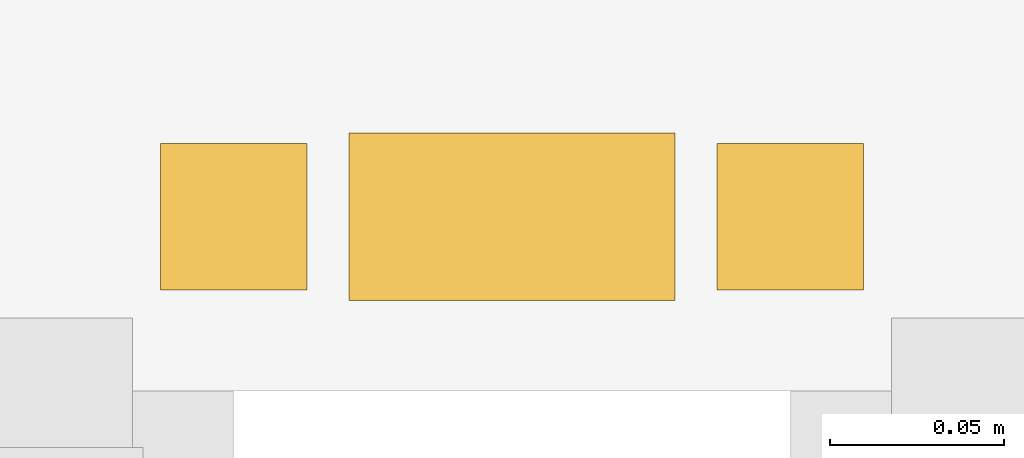
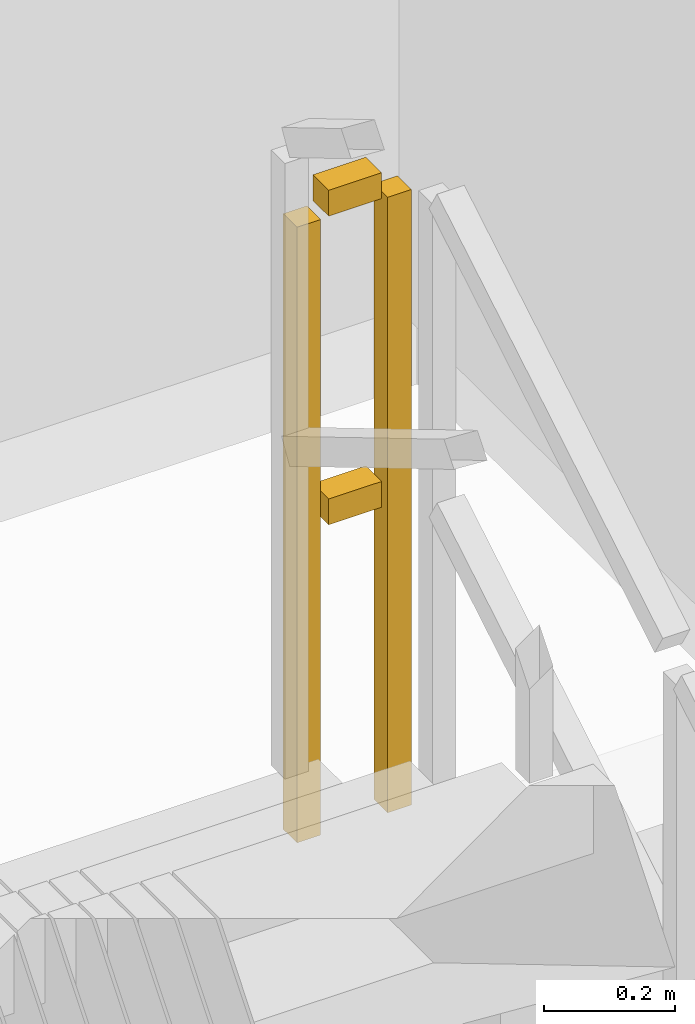
# One storey, part 13 of 13: 1 railing.
"""IFC4 building model written with IfcOpenShell, lengths in metres."""

from ifc_helpers import new_model, si_unit, direction, frame, origin, origin_2d, place, context, subcontext, project, spatial, rectangle, extrude, material, type_object, element, save


model = new_model("IFC4")

# Units and contexts
model_context = context("Model", 3, precision=1e-05, world=origin(), true_north=direction((0.0, 1.0)))
body_context = subcontext(model_context, "Body", "Model", "MODEL_VIEW")
ifc_project = project(units=[si_unit("LENGTHUNIT", "METRE"), si_unit("AREAUNIT", "SQUARE_METRE"), si_unit("VOLUMEUNIT", "CUBIC_METRE"), si_unit("PLANEANGLEUNIT", "RADIAN"), si_unit("MASSUNIT", "GRAM", prefix="KILO")], contexts=[model_context])

# Site, building, storey
site_placement = place(None, origin())
site = spatial("IfcSite", under=ifc_project, at=site_placement, CompositionType="ELEMENT")
building_placement = place(site_placement, origin())
building = spatial("IfcBuilding", under=site, at=building_placement, Name="Saelheon Loggia Tower", CompositionType="ELEMENT")
storey_placement = place(building_placement, frame((0.0, 0.0, 129.75)))
storey = spatial("IfcBuildingStorey", under=building, at=storey_placement, Name="L41", CompositionType="ELEMENT", Elevation=129.75)

# Railing
ifc_material = material(Name="Galvanised Steel S275 Stairwell Guardrail", Category="steel")
railing_type = type_object("IfcRailingType", Name="Guard_StairWell_RL_STG", PredefinedType="GUARDRAIL", material=ifc_material)
railing_placement = place(storey_placement, frame((42.489990234375, 32.739990234375, 1.5)))
element("IfcRailing", 1, at=railing_placement, inside=storey, type_object=railing_type, Name="L41 ST2 stair guard 2", PredefinedType="GUARDRAIL", context=body_context, shape_type="SweptSolid", body=[
    extrude(rectangle(XDim=0.048095703125, YDim=0.048095703125, at=origin_2d()), frame((-0.033203125, 0.0, 1.17578125), z_axis=(-1.0, 0.0, 0.0), x_axis=(0.0, -1.0, 0.0)), (0.0, 0.0, 1.0), 0.093505859375),
    extrude(rectangle(XDim=0.048095703125, YDim=0.048095703125, at=origin_2d()), frame((-0.033203125, 0.0, 0.60009765625), z_axis=(-1.0, 0.0, 0.0), x_axis=(0.0, -1.0, 0.0)), (0.0, 0.0, 1.0), 0.093505859375),
    extrude(rectangle(XDim=0.0419921875, YDim=0.0419921875, at=origin_2d()), origin(), (0.0, 0.0, 1.0), 1.14794921875),
    extrude(rectangle(XDim=0.0419921875, YDim=0.0419921875, at=origin_2d()), frame((-0.159912109375, 0.0, 0.0)), (0.0, 0.0, 1.0), 1.14794921875),
])

save(model, "model.ifc")
